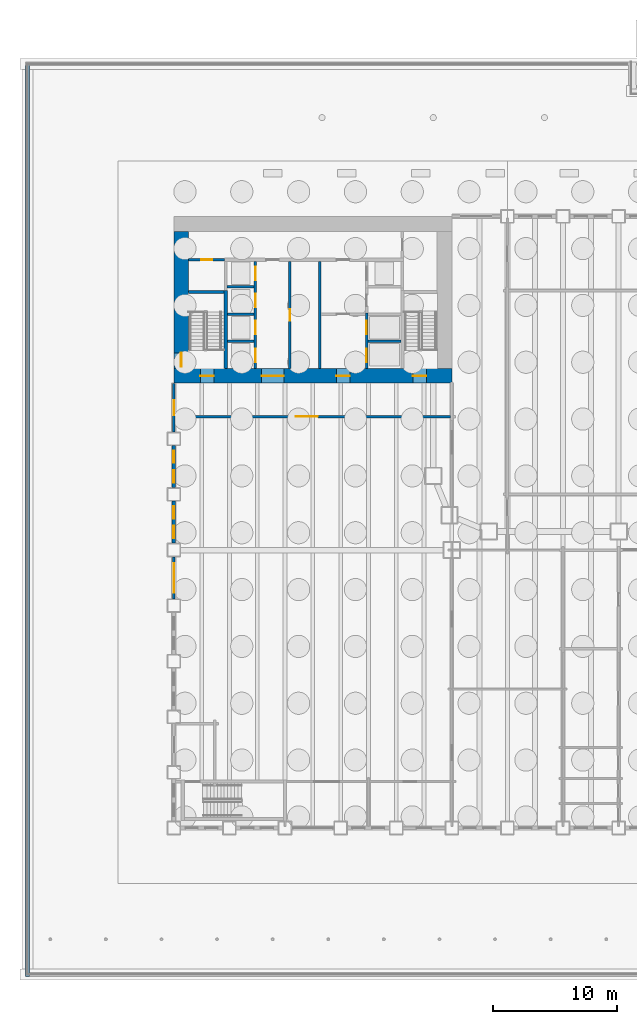
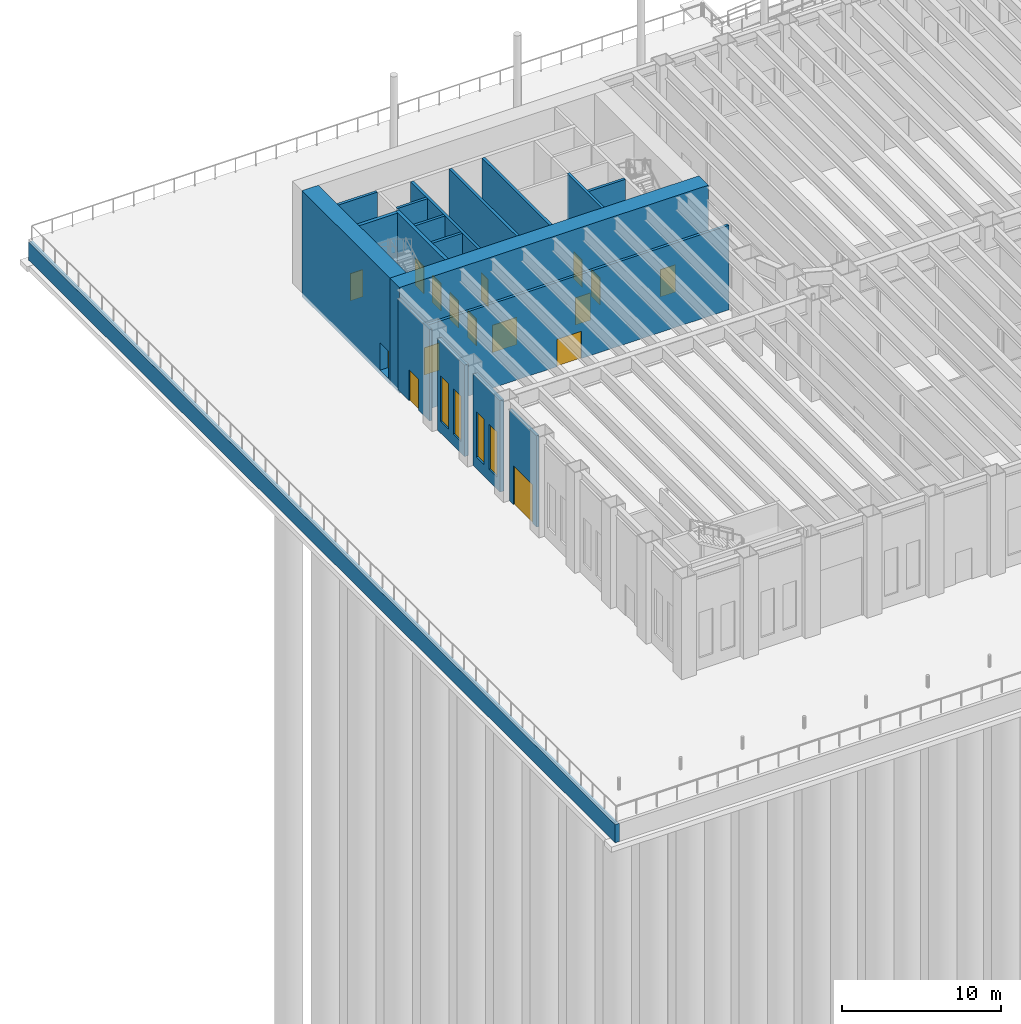
# One storey, part 10 of 26: 19 walls, 16 doors, 4 windows, 20 openings.
"""IFC4 building model written with IfcOpenShell, lengths in metres."""

from ifc_helpers import new_model, si_unit, direction, frame, frame_2d, origin, place, context, subcontext, project, spatial, rectangle, extrude, material, layer, layer_set, type_object, element, fill, save


model = new_model("IFC4")

# Units and contexts
model_context = context("Model", 3, precision=1e-05, world=origin(), true_north=direction((0.0, 1.0)))
body_context = subcontext(model_context, "Body", "Model", "MODEL_VIEW")
ifc_project = project(units=[si_unit("LENGTHUNIT", "METRE"), si_unit("AREAUNIT", "SQUARE_METRE"), si_unit("VOLUMEUNIT", "CUBIC_METRE"), si_unit("PLANEANGLEUNIT", "RADIAN"), si_unit("MASSUNIT", "GRAM", prefix="KILO")], contexts=[model_context])

# Site, building, storey
site_placement = place(None, origin())
site = spatial("IfcSite", under=ifc_project, at=site_placement, CompositionType="ELEMENT")
building_placement = place(site_placement, origin())
building = spatial("IfcBuilding", under=site, at=building_placement, Name="Sennacour Bend Tower", CompositionType="ELEMENT")
storey_placement = place(building_placement, origin())
storey = spatial("IfcBuildingStorey", under=building, at=storey_placement, Name="L00", CompositionType="ELEMENT", Elevation=0.0)

# Wall, opening, door
ifc_material_1 = material(Name="Bronze anodised aluminium panel", Category="aluminium")
ifc_layer_1 = layer(ifc_material_1, 0.030029296875, Name="Bronze anodised aluminium panel", Category="aluminium")
ifc_material_2 = material(Name="Precast concrete C40/50", Category="concrete")
ifc_layer_2 = layer(ifc_material_2, 0.169921875, Name="Precast concrete C40/50", Category="concrete")
ifc_layer_set_1 = layer_set([ifc_layer_1, ifc_layer_2], Name="Precast concrete C40/50 with bronze aluminium panel")
wall_type_1 = type_object("IfcWallType", Name="ALUMINIUM-CLAD INFILL WALL 200", PredefinedType="STANDARD", material=ifc_layer_set_1)
wall_1_placement = place(storey_placement, frame((0.0, 32.050048828125, 0.0), z_axis=(0.0, 0.0, 1.0), x_axis=(0.0, 1.0, 0.0)))
wall_1 = element("IfcWall", 1, at=wall_1_placement, inside=storey, type_object=wall_type_1, Name="Infill wall L00 02.00", PredefinedType="STANDARD", context=body_context, shape_type="SweptSolid", body=[
    extrude(rectangle(XDim=3.948974609375, YDim=0.199951171875, at=frame_2d((1.974609375, 0.0))), origin(), (0.0, 0.0, 1.0), 7.035888671875),
])
opening_1_placement = place(wall_1_placement, frame((1.37451171875, 0.0, 0.0)))
opening_1 = element("IfcOpeningElement", 2, at=opening_1_placement, cuts=wall_1, Name="Opening ED2", PredefinedType="OPENING", context=body_context, shape_type="SweptSolid", body=[
    extrude(rectangle(XDim=1.199951171875, YDim=2.39990234375, at=frame_2d((0.60009765625, 1.199951171875))), frame((0.0, 0.10986328125, 0.0), z_axis=(0.0, -1.0, 0.0), x_axis=(1.0, 0.0, 0.0)), (0.0, 0.0, 1.0), 0.219970703125),
])
ifc_material_3 = material(Name="Steel door leaf", Category="steel")
door_type_1 = type_object("IfcDoorType", Name="DR-SERVICE-1200x2400", OperationType="SINGLE_SWING_RIGHT", PredefinedType="DOOR", material=ifc_material_3)
door_1_placement = place(opening_1_placement, origin())
door_1 = element("IfcDoor", 3, at=door_1_placement, inside=storey, type_object=door_type_1, Name="Exterior door L00 02.00", OperationType="SINGLE_SWING_RIGHT", OverallHeight=2.39990234375, OverallWidth=1.199951171875, PredefinedType="DOOR", context=body_context, shape_type="SweptSolid", body=[
    extrude(rectangle(XDim=1.199951171875, YDim=2.39990234375, at=frame_2d((0.60009765625, 1.199951171875))), frame((0.0, 0.02490234375, 0.0), z_axis=(0.0, -1.0, 0.0), x_axis=(1.0, 0.0, 0.0)), (0.0, 0.0, 1.0), 0.050048828125),
])
fill(opening_1, door_1)

wall_2_placement = place(storey_placement, frame((0.0, 18.550048828125, 0.0), z_axis=(0.0, 0.0, 1.0), x_axis=(0.0, 1.0, 0.0)))
wall_2 = element("IfcWall", 4, at=wall_2_placement, inside=storey, type_object=wall_type_1, Name="Infill wall L00 02.03", PredefinedType="STANDARD", context=body_context, shape_type="SweptSolid", body=[
    extrude(rectangle(XDim=3.39990234375, YDim=0.199951171875, at=frame_2d((1.699951171875, 0.0))), origin(), (0.0, 0.0, 1.0), 7.035888671875),
])
opening_2_placement = place(wall_2_placement, frame((0.5, 0.0, 0.0)))
opening_2 = element("IfcOpeningElement", 5, at=opening_2_placement, cuts=wall_2, Name="Opening ED1", PredefinedType="OPENING", context=body_context, shape_type="SweptSolid", body=[
    extrude(rectangle(XDim=2.39990234375, YDim=3.0, at=frame_2d((1.199951171875, 1.5))), frame((0.0, 0.10986328125, 0.0), z_axis=(0.0, -1.0, 0.0), x_axis=(1.0, 0.0, 0.0)), (0.0, 0.0, 1.0), 0.219970703125),
])
ifc_material_4 = material(Name="Aluminium framed glazed door", Category="aluminium")
door_type_2 = type_object("IfcDoorType", Name="DR-ENTRANCE-2400x3000", OperationType="DOUBLE_DOOR_SINGLE_SWING", PredefinedType="DOOR", material=ifc_material_4)
door_2_placement = place(opening_2_placement, origin())
door_2 = element("IfcDoor", 6, at=door_2_placement, inside=storey, type_object=door_type_2, Name="Exterior door L00 02.03", OperationType="DOUBLE_DOOR_SINGLE_SWING", OverallHeight=3.0, OverallWidth=2.39990234375, PredefinedType="DOOR", context=body_context, shape_type="SweptSolid", body=[
    extrude(rectangle(XDim=2.39990234375, YDim=3.0, at=frame_2d((1.199951171875, 1.5))), frame((0.0, 0.02490234375, 0.0), z_axis=(0.0, -1.0, 0.0), x_axis=(1.0, 0.0, 0.0)), (0.0, 0.0, 1.0), 0.050048828125),
])
fill(opening_2, door_2)

# Wall, openings, doors
ifc_material_5 = material(Name="Concrete C80/95", Category="concrete")
ifc_layer_3 = layer(ifc_material_5, 1.199951171875, Name="Concrete C80/95", Category="concrete")
ifc_layer_set_2 = layer_set([ifc_layer_3], Name="Concrete C80/95")
wall_type_2 = type_object("IfcWallType", Name="Core wall 1200 C80/95", PredefinedType="SHEAR", material=ifc_layer_set_2)
wall_3_placement = place(storey_placement, frame((0.0, 36.60009765625, -0.300048828125), z_axis=(0.0, 0.0, 1.0), x_axis=(1.0, 0.0, 0.0)))
wall_3 = element("IfcWall", 7, at=wall_3_placement, inside=storey, type_object=wall_type_2, Name="Core B wall L00 S", PredefinedType="SHEAR", context=body_context, shape_type="SweptSolid", body=[
    extrude(rectangle(XDim=22.5, YDim=1.199951171875, at=frame_2d((11.25, 0.0))), origin(), (0.0, 0.0, 1.0), 8.150146484375),
])
opening_3_placement = place(wall_3_placement, frame((7.10009765625, 0.0, 0.300048828125)))
opening_3 = element("IfcOpeningElement", 8, at=opening_3_placement, cuts=wall_3, Name="Opening CD", PredefinedType="OPENING", context=body_context, shape_type="SweptSolid", body=[
    extrude(rectangle(XDim=1.800048828125, YDim=2.10009765625, at=frame_2d((0.89990234375, 1.050048828125))), frame((0.0, 0.60986328125, 0.0), z_axis=(0.0, -1.0, 0.0), x_axis=(1.0, 0.0, 0.0)), (0.0, 0.0, 1.0), 1.219970703125),
])
opening_4_placement = place(wall_3_placement, frame((13.14990234375, 0.0, 0.300048828125)))
opening_4 = element("IfcOpeningElement", 9, at=opening_4_placement, cuts=wall_3, Name="Opening FD", PredefinedType="OPENING", context=body_context, shape_type="SweptSolid", body=[
    extrude(rectangle(XDim=1.10009765625, YDim=2.10009765625, at=frame_2d((0.550048828125, 1.050048828125))), frame((0.0, 0.60986328125, 0.0), z_axis=(0.0, -1.0, 0.0), x_axis=(1.0, 0.0, 0.0)), (0.0, 0.0, 1.0), 1.219970703125),
])
opening_5_placement = place(wall_3_placement, frame((2.14990234375, 0.0, 0.300048828125)))
opening_5 = element("IfcOpeningElement", 10, at=opening_5_placement, cuts=wall_3, Name="Opening SD", PredefinedType="OPENING", context=body_context, shape_type="SweptSolid", body=[
    extrude(rectangle(XDim=1.10009765625, YDim=2.10009765625, at=frame_2d((0.550048828125, 1.050048828125))), frame((0.0, 0.60986328125, 0.0), z_axis=(0.0, -1.0, 0.0), x_axis=(1.0, 0.0, 0.0)), (0.0, 0.0, 1.0), 1.219970703125),
])
opening_6_placement = place(wall_3_placement, frame((19.35009765625, 0.0, 0.300048828125)))
opening_6 = element("IfcOpeningElement", 11, at=opening_6_placement, cuts=wall_3, Name="Opening SD", PredefinedType="OPENING", context=body_context, shape_type="SweptSolid", body=[
    extrude(rectangle(XDim=1.10009765625, YDim=2.10009765625, at=frame_2d((0.550048828125, 1.050048828125))), frame((0.0, 0.60986328125, 0.0), z_axis=(0.0, -1.0, 0.0), x_axis=(1.0, 0.0, 0.0)), (0.0, 0.0, 1.0), 1.219970703125),
])
ifc_material_6 = material(Name="Painted steel", Category="steel")
door_type_3 = type_object("IfcDoorType", Name="DR-FFL-1100", OperationType="NOTDEFINED", PredefinedType="DOOR", material=ifc_material_6)
door_3_placement = place(opening_4_placement, origin())
door_3 = element("IfcDoor", 12, at=door_3_placement, inside=storey, type_object=door_type_3, Name="Door", OperationType="SINGLE_SWING_RIGHT", OverallHeight=2.10009765625, OverallWidth=1.10009765625, PredefinedType="DOOR", context=body_context, shape_type="SweptSolid", body=[
    extrude(rectangle(XDim=1.10009765625, YDim=2.10009765625, at=frame_2d((0.550048828125, 1.050048828125))), frame((0.0, 0.02490234375, 0.0), z_axis=(0.0, -1.0, 0.0), x_axis=(1.0, 0.0, 0.0)), (0.0, 0.0, 1.0), 0.050048828125),
])
fill(opening_4, door_3)
door_type_4 = type_object("IfcDoorType", Name="DR-LOBBY-1800", OperationType="NOTDEFINED", PredefinedType="DOOR", material=ifc_material_6)
door_4_placement = place(opening_3_placement, origin())
door_4 = element("IfcDoor", 13, at=door_4_placement, inside=storey, type_object=door_type_4, Name="Door", OperationType="DOUBLE_DOOR_SINGLE_SWING", OverallHeight=2.10009765625, OverallWidth=1.800048828125, PredefinedType="DOOR", context=body_context, shape_type="SweptSolid", body=[
    extrude(rectangle(XDim=1.800048828125, YDim=2.10009765625, at=frame_2d((0.89990234375, 1.050048828125))), frame((0.0, 0.02490234375, 0.0), z_axis=(0.0, -1.0, 0.0), x_axis=(1.0, 0.0, 0.0)), (0.0, 0.0, 1.0), 0.050048828125),
])
fill(opening_3, door_4)
door_type_5 = type_object("IfcDoorType", Name="DR-STAIR-1100", OperationType="NOTDEFINED", PredefinedType="DOOR", material=ifc_material_6)
door_5_placement = place(opening_5_placement, origin())
door_5 = element("IfcDoor", 14, at=door_5_placement, inside=storey, type_object=door_type_5, Name="Door", OperationType="SINGLE_SWING_LEFT", OverallHeight=2.10009765625, OverallWidth=1.10009765625, PredefinedType="DOOR", context=body_context, shape_type="SweptSolid", body=[
    extrude(rectangle(XDim=1.10009765625, YDim=2.10009765625, at=frame_2d((0.550048828125, 1.050048828125))), frame((0.0, 0.02490234375, 0.0), z_axis=(0.0, -1.0, 0.0), x_axis=(1.0, 0.0, 0.0)), (0.0, 0.0, 1.0), 0.050048828125),
])
fill(opening_5, door_5)
door_6_placement = place(opening_6_placement, origin())
door_6 = element("IfcDoor", 15, at=door_6_placement, inside=storey, type_object=door_type_5, Name="Door", OperationType="SINGLE_SWING_RIGHT", OverallHeight=2.10009765625, OverallWidth=1.10009765625, PredefinedType="DOOR", context=body_context, shape_type="SweptSolid", body=[
    extrude(rectangle(XDim=1.10009765625, YDim=2.10009765625, at=frame_2d((0.550048828125, 1.050048828125))), frame((0.0, 0.02490234375, 0.0), z_axis=(0.0, -1.0, 0.0), x_axis=(1.0, 0.0, 0.0)), (0.0, 0.0, 1.0), 0.050048828125),
])
fill(opening_6, door_6)

# Wall, opening, door
wall_4_placement = place(storey_placement, frame((0.60009765625, 37.199951171875, -0.300048828125), z_axis=(0.0, 0.0, 1.0), x_axis=(0.0, 1.0, 0.0)))
wall_4 = element("IfcWall", 16, at=wall_4_placement, inside=storey, type_object=wall_type_2, Name="Core B wall L00 W", PredefinedType="SHEAR", context=body_context, shape_type="SweptSolid", body=[
    extrude(rectangle(XDim=11.10009765625, YDim=1.199951171875, at=frame_2d((5.550048828125, 0.0))), origin(), (0.0, 0.0, 1.0), 8.150146484375),
])
opening_7_placement = place(wall_4_placement, frame((0.14990234375, 0.0, 0.300048828125)))
opening_7 = element("IfcOpeningElement", 17, at=opening_7_placement, cuts=wall_4, Name="Opening XD", PredefinedType="OPENING", context=body_context, shape_type="SweptSolid", body=[
    extrude(rectangle(XDim=1.10009765625, YDim=2.10009765625, at=frame_2d((0.550048828125, 1.050048828125))), frame((0.0, 0.60986328125, 0.0), z_axis=(0.0, -1.0, 0.0), x_axis=(1.0, 0.0, 0.0)), (0.0, 0.0, 1.0), 1.219970703125),
])
door_type_6 = type_object("IfcDoorType", Name="DR-DISCHARGE-1100", OperationType="NOTDEFINED", PredefinedType="DOOR", material=ifc_material_6)
door_7_placement = place(opening_7_placement, origin())
door_7 = element("IfcDoor", 18, at=door_7_placement, inside=storey, type_object=door_type_6, Name="Door", OperationType="SINGLE_SWING_LEFT", OverallHeight=2.10009765625, OverallWidth=1.10009765625, PredefinedType="DOOR", context=body_context, shape_type="SweptSolid", body=[
    extrude(rectangle(XDim=1.10009765625, YDim=2.10009765625, at=frame_2d((0.550048828125, 1.050048828125))), frame((0.0, 0.02490234375, 0.0), z_axis=(0.0, -1.0, 0.0), x_axis=(1.0, 0.0, 0.0)), (0.0, 0.0, 1.0), 0.050048828125),
])
fill(opening_7, door_7)

# Wall
ifc_material_7 = material(Name="Concrete C40/50", Category="concrete")
ifc_layer_4 = layer(ifc_material_7, 0.300048828125, Name="Concrete C40/50", Category="concrete")
ifc_layer_set_3 = layer_set([ifc_layer_4], Name="Concrete C40/50")
wall_type_3 = type_object("IfcWallType", Name="PLAZA RETAINING WALL 300", PredefinedType="STANDARD", material=ifc_layer_set_3)
wall_5_placement = place(storey_placement, frame((-11.85009765625, -12.0, -1.60009765625), z_axis=(0.0, 0.0, 1.0), x_axis=(0.0, 1.0, 0.0)))
element("IfcWall", 19, at=wall_5_placement, inside=storey, type_object=wall_type_3, Name="Plaza retaining wall west", PredefinedType="STANDARD", context=body_context, shape_type="SweptSolid", body=[
    extrude(rectangle(XDim=74.0, YDim=0.300048828125, at=frame_2d((37.0, 0.0))), origin(), (0.0, 0.0, 1.0), 1.400146484375),
])

# Wall, opening, door
ifc_material_8 = material(Name="Fire-rated plasterboard partition on steel studs", Category="steel")
ifc_layer_5 = layer(ifc_material_8, 0.199951171875, Name="Fire-rated plasterboard partition on steel studs", Category="steel")
ifc_layer_set_4 = layer_set([ifc_layer_5], Name="Fire-rated plasterboard partition on steel studs")
wall_type_4 = type_object("IfcWallType", Name="Rated partition 200", PredefinedType="PARTITIONING", material=ifc_layer_set_4)
wall_6_placement = place(storey_placement, frame((9.39990234375, 37.199951171875, 0.0), z_axis=(0.0, 0.0, 1.0), x_axis=(0.0, 1.0, 0.0)))
wall_6 = element("IfcWall", 20, at=wall_6_placement, inside=storey, type_object=wall_type_4, Name="P-L00-W011", PredefinedType="PARTITIONING", context=body_context, shape_type="SweptSolid", body=[
    extrude(rectangle(XDim=8.650146484375, YDim=0.199951171875, at=frame_2d((4.3251953125, 0.0))), origin(), (0.0, 0.0, 1.0), 7.75),
])
opening_8_placement = place(wall_6_placement, frame((3.875, 0.0, 0.0)))
opening_8 = element("IfcOpeningElement", 21, at=opening_8_placement, cuts=wall_6, Name="Opening SV", PredefinedType="OPENING", context=body_context, shape_type="SweptSolid", body=[
    extrude(rectangle(XDim=0.89990234375, YDim=2.10009765625, at=frame_2d((0.449951171875, 1.050048828125))), frame((0.0, 0.10986328125, 0.0), z_axis=(0.0, -1.0, 0.0), x_axis=(1.0, 0.0, 0.0)), (0.0, 0.0, 1.0), 0.219970703125),
])
door_type_7 = type_object("IfcDoorType", Name="DR-SERVICE-900", OperationType="NOTDEFINED", PredefinedType="DOOR", material=ifc_material_6)
door_8_placement = place(opening_8_placement, origin())
door_8 = element("IfcDoor", 22, at=door_8_placement, inside=storey, type_object=door_type_7, Name="Door", OperationType="SINGLE_SWING_LEFT", OverallHeight=2.10009765625, OverallWidth=0.89990234375, PredefinedType="DOOR", context=body_context, shape_type="SweptSolid", body=[
    extrude(rectangle(XDim=0.89990234375, YDim=2.10009765625, at=frame_2d((0.449951171875, 1.050048828125))), frame((0.0, 0.02490234375, 0.0), z_axis=(0.0, -1.0, 0.0), x_axis=(1.0, 0.0, 0.0)), (0.0, 0.0, 1.0), 0.050048828125),
])
fill(opening_8, door_8)

# Wall
wall_7_placement = place(storey_placement, frame((11.800048828125, 37.199951171875, 0.0), z_axis=(0.0, 0.0, 1.0), x_axis=(0.0, 1.0, 0.0)))
element("IfcWall", 23, at=wall_7_placement, inside=storey, type_object=wall_type_4, Name="P-L00-W012", PredefinedType="PARTITIONING", context=body_context, shape_type="SweptSolid", body=[
    extrude(rectangle(XDim=8.650146484375, YDim=0.199951171875, at=frame_2d((4.3251953125, 0.0))), origin(), (0.0, 0.0, 1.0), 7.75),
])

# Wall, opening, door
wall_8_placement = place(storey_placement, frame((0.14990234375, 33.300048828125, 0.0), z_axis=(0.0, 0.0, 1.0), x_axis=(1.0, 0.0, 0.0)))
wall_8 = element("IfcWall", 24, at=wall_8_placement, inside=storey, type_object=wall_type_4, Name="P-L00-W074aa", PredefinedType="PARTITIONING", context=body_context, shape_type="SweptSolid", body=[
    extrude(rectangle(XDim=22.25, YDim=0.199951171875, at=frame_2d((11.125, 0.0))), origin(), (0.0, 0.0, 1.0), 6.5),
])
opening_9_placement = place(wall_8_placement, frame((9.7001953125, 0.0, 0.0)))
opening_9 = element("IfcOpeningElement", 25, at=opening_9_placement, cuts=wall_8, Name="Opening CD", PredefinedType="OPENING", context=body_context, shape_type="SweptSolid", body=[
    extrude(rectangle(XDim=1.800048828125, YDim=2.10009765625, at=frame_2d((0.89990234375, 1.050048828125))), frame((0.0, 0.10986328125, 0.0), z_axis=(0.0, -1.0, 0.0), x_axis=(1.0, 0.0, 0.0)), (0.0, 0.0, 1.0), 0.219970703125),
])
door_9_placement = place(opening_9_placement, origin())
door_9 = element("IfcDoor", 26, at=door_9_placement, inside=storey, type_object=door_type_4, Name="Door", OperationType="DOUBLE_DOOR_SINGLE_SWING", OverallHeight=2.10009765625, OverallWidth=1.800048828125, PredefinedType="DOOR", context=body_context, shape_type="SweptSolid", body=[
    extrude(rectangle(XDim=1.800048828125, YDim=2.10009765625, at=frame_2d((0.89990234375, 1.050048828125))), frame((0.0, 0.02490234375, 0.0), z_axis=(0.0, -1.0, 0.0), x_axis=(1.0, 0.0, 0.0)), (0.0, 0.0, 1.0), 0.050048828125),
])
fill(opening_9, door_9)

wall_9_placement = place(storey_placement, frame((1.199951171875, 46.0, 0.0), z_axis=(0.0, 0.0, 1.0), x_axis=(1.0, 0.0, 0.0)))
wall_9 = element("IfcWall", 27, at=wall_9_placement, inside=storey, type_object=wall_type_4, Name="P-L00-W085", PredefinedType="PARTITIONING", context=body_context, shape_type="SweptSolid", body=[
    extrude(rectangle(XDim=2.900146484375, YDim=0.199951171875, at=frame_2d((1.4501953125, 0.0))), origin(), (0.0, 0.0, 1.0), 7.75),
])
opening_10_placement = place(wall_9_placement, frame((1.0, 0.0, 0.0)))
opening_10 = element("IfcOpeningElement", 28, at=opening_10_placement, cuts=wall_9, Name="Opening SV", PredefinedType="OPENING", context=body_context, shape_type="SweptSolid", body=[
    extrude(rectangle(XDim=0.89990234375, YDim=2.10009765625, at=frame_2d((0.449951171875, 1.050048828125))), frame((0.0, 0.10986328125, 0.0), z_axis=(0.0, -1.0, 0.0), x_axis=(1.0, 0.0, 0.0)), (0.0, 0.0, 1.0), 0.219970703125),
])
door_10_placement = place(opening_10_placement, origin())
door_10 = element("IfcDoor", 29, at=door_10_placement, inside=storey, type_object=door_type_7, Name="Door", OperationType="SINGLE_SWING_LEFT", OverallHeight=2.10009765625, OverallWidth=0.89990234375, PredefinedType="DOOR", context=body_context, shape_type="SweptSolid", body=[
    extrude(rectangle(XDim=0.89990234375, YDim=2.10009765625, at=frame_2d((0.449951171875, 1.050048828125))), frame((0.0, 0.02490234375, 0.0), z_axis=(0.0, -1.0, 0.0), x_axis=(1.0, 0.0, 0.0)), (0.0, 0.0, 1.0), 0.050048828125),
])
fill(opening_10, door_10)

# Wall, openings, windows
ifc_material_9 = material(Name="Warm limestone cladding", Category="masonry")
ifc_layer_6 = layer(ifc_material_9, 0.050048828125, Name="Warm limestone cladding", Category="masonry")
ifc_layer_7 = layer(ifc_material_2, 0.25, Name="Precast concrete C40/50", Category="concrete")
ifc_layer_set_5 = layer_set([ifc_layer_6, ifc_layer_7], Name="Precast concrete C40/50 with limestone cladding")
wall_type_5 = type_object("IfcWallType", Name="STONE-CLAD PRECAST SPANDREL 300", PredefinedType="STANDARD", material=ifc_layer_set_5)
wall_10_placement = place(storey_placement, frame((0.0, 30.949951171875, 0.0), z_axis=(0.0, 0.0, 1.0), x_axis=(0.0, -1.0, 0.0)))
wall_10 = element("IfcWall", 30, at=wall_10_placement, inside=storey, type_object=wall_type_5, Name="Stone spandrel and pier wall L00 02.01", PredefinedType="STANDARD", context=body_context, shape_type="SweptSolid", body=[
    extrude(rectangle(XDim=3.39990234375, YDim=0.300048828125, at=frame_2d((1.699951171875, 0.0))), origin(), (0.0, 0.0, 1.0), 7.035888671875),
])
opening_11_placement = place(wall_10_placement, frame((0.39990234375, 0.0, 0.89990234375)))
opening_11 = element("IfcOpeningElement", 31, at=opening_11_placement, cuts=wall_10, Name="Opening W1", PredefinedType="OPENING", context=body_context, shape_type="SweptSolid", body=[
    extrude(rectangle(XDim=1.0, YDim=3.5, at=frame_2d((0.5, 1.75))), frame((0.0, 0.16015625, 0.0), z_axis=(0.0, -1.0, 0.0), x_axis=(1.0, 0.0, 0.0)), (0.0, 0.0, 1.0), 0.320068359375),
])
opening_12_placement = place(wall_10_placement, frame((2.0, 0.0, 0.89990234375)))
opening_12 = element("IfcOpeningElement", 32, at=opening_12_placement, cuts=wall_10, Name="Opening W1", PredefinedType="OPENING", context=body_context, shape_type="SweptSolid", body=[
    extrude(rectangle(XDim=1.0, YDim=3.5, at=frame_2d((0.5, 1.75))), frame((0.0, 0.16015625, 0.0), z_axis=(0.0, -1.0, 0.0), x_axis=(1.0, 0.0, 0.0)), (0.0, 0.0, 1.0), 0.320068359375),
])
ifc_material_10 = material(Name="Clear low-emissivity glass", Category="glass")
window_type = type_object("IfcWindowType", Name="WIN-RIBBON-1000x3500", PartitioningType="SINGLE_PANEL", PredefinedType="WINDOW", material=ifc_material_10)
window_1_placement = place(opening_11_placement, origin())
window_1 = element("IfcWindow", 33, at=window_1_placement, inside=storey, type_object=window_type, Name="Ribbon window L00 02.01.0", OverallHeight=3.5, OverallWidth=1.0, PartitioningType="SINGLE_PANEL", PredefinedType="WINDOW", context=body_context, shape_type="SweptSolid", body=[
    extrude(rectangle(XDim=1.0, YDim=3.5, at=frame_2d((0.5, 1.75))), frame((0.0, 0.030029296875, 0.0), z_axis=(0.0, -1.0, 0.0), x_axis=(1.0, 0.0, 0.0)), (0.0, 0.0, 1.0), 0.06005859375),
])
fill(opening_11, window_1)
window_2_placement = place(opening_12_placement, origin())
window_2 = element("IfcWindow", 34, at=window_2_placement, inside=storey, type_object=window_type, Name="Ribbon window L00 02.01.1", OverallHeight=3.5, OverallWidth=1.0, PartitioningType="SINGLE_PANEL", PredefinedType="WINDOW", context=body_context, shape_type="SweptSolid", body=[
    extrude(rectangle(XDim=1.0, YDim=3.5, at=frame_2d((0.5, 1.75))), frame((0.0, 0.030029296875, 0.0), z_axis=(0.0, -1.0, 0.0), x_axis=(1.0, 0.0, 0.0)), (0.0, 0.0, 1.0), 0.06005859375),
])
fill(opening_12, window_2)

wall_11_placement = place(storey_placement, frame((0.0, 26.449951171875, 0.0), z_axis=(0.0, 0.0, 1.0), x_axis=(0.0, -1.0, 0.0)))
wall_11 = element("IfcWall", 35, at=wall_11_placement, inside=storey, type_object=wall_type_5, Name="Stone spandrel and pier wall L00 02.02", PredefinedType="STANDARD", context=body_context, shape_type="SweptSolid", body=[
    extrude(rectangle(XDim=3.39990234375, YDim=0.300048828125, at=frame_2d((1.699951171875, 0.0))), origin(), (0.0, 0.0, 1.0), 7.035888671875),
])
opening_13_placement = place(wall_11_placement, frame((0.39990234375, 0.0, 0.89990234375)))
opening_13 = element("IfcOpeningElement", 36, at=opening_13_placement, cuts=wall_11, Name="Opening W1", PredefinedType="OPENING", context=body_context, shape_type="SweptSolid", body=[
    extrude(rectangle(XDim=1.0, YDim=3.5, at=frame_2d((0.5, 1.75))), frame((0.0, 0.16015625, 0.0), z_axis=(0.0, -1.0, 0.0), x_axis=(1.0, 0.0, 0.0)), (0.0, 0.0, 1.0), 0.320068359375),
])
opening_14_placement = place(wall_11_placement, frame((2.0, 0.0, 0.89990234375)))
opening_14 = element("IfcOpeningElement", 37, at=opening_14_placement, cuts=wall_11, Name="Opening W1", PredefinedType="OPENING", context=body_context, shape_type="SweptSolid", body=[
    extrude(rectangle(XDim=1.0, YDim=3.5, at=frame_2d((0.5, 1.75))), frame((0.0, 0.16015625, 0.0), z_axis=(0.0, -1.0, 0.0), x_axis=(1.0, 0.0, 0.0)), (0.0, 0.0, 1.0), 0.320068359375),
])
window_3_placement = place(opening_13_placement, origin())
window_3 = element("IfcWindow", 38, at=window_3_placement, inside=storey, type_object=window_type, Name="Ribbon window L00 02.02.0", OverallHeight=3.5, OverallWidth=1.0, PartitioningType="SINGLE_PANEL", PredefinedType="WINDOW", context=body_context, shape_type="SweptSolid", body=[
    extrude(rectangle(XDim=1.0, YDim=3.5, at=frame_2d((0.5, 1.75))), frame((0.0, 0.030029296875, 0.0), z_axis=(0.0, -1.0, 0.0), x_axis=(1.0, 0.0, 0.0)), (0.0, 0.0, 1.0), 0.06005859375),
])
fill(opening_13, window_3)
window_4_placement = place(opening_14_placement, origin())
window_4 = element("IfcWindow", 39, at=window_4_placement, inside=storey, type_object=window_type, Name="Ribbon window L00 02.02.1", OverallHeight=3.5, OverallWidth=1.0, PartitioningType="SINGLE_PANEL", PredefinedType="WINDOW", context=body_context, shape_type="SweptSolid", body=[
    extrude(rectangle(XDim=1.0, YDim=3.5, at=frame_2d((0.5, 1.75))), frame((0.0, 0.030029296875, 0.0), z_axis=(0.0, -1.0, 0.0), x_axis=(1.0, 0.0, 0.0)), (0.0, 0.0, 1.0), 0.06005859375),
])
fill(opening_14, window_4)

# Wall, openings, doors
ifc_material_11 = material(Name="Concrete C50/60", Category="concrete")
ifc_layer_8 = layer(ifc_material_11, 0.199951171875, Name="Concrete C50/60", Category="concrete")
ifc_layer_set_6 = layer_set([ifc_layer_8], Name="Concrete C50/60")
wall_type_6 = type_object("IfcWallType", Name="Shaft wall 200", PredefinedType="SOLIDWALL", material=ifc_layer_set_6)
wall_12_placement = place(storey_placement, frame((6.60009765625, 37.199951171875, 0.0), z_axis=(0.0, 0.0, 1.0), x_axis=(0.0, 1.0, 0.0)))
wall_12 = element("IfcWall", 40, at=wall_12_placement, inside=storey, type_object=wall_type_6, Name="P-L00-W008", PredefinedType="SOLIDWALL", context=body_context, shape_type="SweptSolid", body=[
    extrude(rectangle(XDim=8.650146484375, YDim=0.199951171875, at=frame_2d((4.3251953125, 0.0))), origin(), (0.0, 0.0, 1.0), 7.75),
])
opening_15_placement = place(wall_12_placement, frame((0.5, 0.0, 0.011962890625)))
opening_15 = element("IfcOpeningElement", 41, at=opening_15_placement, cuts=wall_12, Name="Opening LD", PredefinedType="OPENING", context=body_context, shape_type="SweptSolid", body=[
    extrude(rectangle(XDim=1.10009765625, YDim=2.10009765625, at=frame_2d((0.550048828125, 1.050048828125))), frame((0.0, 0.10986328125, 0.0), z_axis=(0.0, -1.0, 0.0), x_axis=(1.0, 0.0, 0.0)), (0.0, 0.0, 1.0), 0.219970703125),
])
opening_16_placement = place(wall_12_placement, frame((2.75, 0.0, 0.011962890625)))
opening_16 = element("IfcOpeningElement", 42, at=opening_16_placement, cuts=wall_12, Name="Opening LD", PredefinedType="OPENING", context=body_context, shape_type="SweptSolid", body=[
    extrude(rectangle(XDim=1.10009765625, YDim=2.10009765625, at=frame_2d((0.550048828125, 1.050048828125))), frame((0.0, 0.10986328125, 0.0), z_axis=(0.0, -1.0, 0.0), x_axis=(1.0, 0.0, 0.0)), (0.0, 0.0, 1.0), 0.219970703125),
])
opening_17_placement = place(wall_12_placement, frame((4.949951171875, 0.0, 0.011962890625)))
opening_17 = element("IfcOpeningElement", 43, at=opening_17_placement, cuts=wall_12, Name="Opening LD", PredefinedType="OPENING", context=body_context, shape_type="SweptSolid", body=[
    extrude(rectangle(XDim=1.10009765625, YDim=2.10009765625, at=frame_2d((0.550048828125, 1.050048828125))), frame((0.0, 0.10986328125, 0.0), z_axis=(0.0, -1.0, 0.0), x_axis=(1.0, 0.0, 0.0)), (0.0, 0.0, 1.0), 0.219970703125),
])
opening_18_placement = place(wall_12_placement, frame((7.125, 0.0, 0.011962890625)))
opening_18 = element("IfcOpeningElement", 44, at=opening_18_placement, cuts=wall_12, Name="Opening LD", PredefinedType="OPENING", context=body_context, shape_type="SweptSolid", body=[
    extrude(rectangle(XDim=1.10009765625, YDim=2.10009765625, at=frame_2d((0.550048828125, 1.050048828125))), frame((0.0, 0.10986328125, 0.0), z_axis=(0.0, -1.0, 0.0), x_axis=(1.0, 0.0, 0.0)), (0.0, 0.0, 1.0), 0.219970703125),
])
ifc_material_12 = material(Name="Stainless steel", Category="steel")
door_type_8 = type_object("IfcDoorType", Name="DR-LANDING-1100", OperationType="NOTDEFINED", PredefinedType="DOOR", material=ifc_material_12)
door_11_placement = place(opening_15_placement, origin())
door_11 = element("IfcDoor", 45, at=door_11_placement, inside=storey, type_object=door_type_8, Name="Lift landing door LB1", OperationType="SLIDING_TO_RIGHT", OverallHeight=2.10009765625, OverallWidth=1.10009765625, PredefinedType="DOOR", context=body_context, shape_type="SweptSolid", body=[
    extrude(rectangle(XDim=1.10009765625, YDim=2.10009765625, at=frame_2d((0.550048828125, 1.050048828125))), frame((0.0, 0.02490234375, 0.0), z_axis=(0.0, -1.0, 0.0), x_axis=(1.0, 0.0, 0.0)), (0.0, 0.0, 1.0), 0.050048828125),
])
fill(opening_15, door_11)
door_12_placement = place(opening_16_placement, origin())
door_12 = element("IfcDoor", 46, at=door_12_placement, inside=storey, type_object=door_type_8, Name="Lift landing door LB2", OperationType="SLIDING_TO_LEFT", OverallHeight=2.10009765625, OverallWidth=1.10009765625, PredefinedType="DOOR", context=body_context, shape_type="SweptSolid", body=[
    extrude(rectangle(XDim=1.10009765625, YDim=2.10009765625, at=frame_2d((0.550048828125, 1.050048828125))), frame((0.0, 0.02490234375, 0.0), z_axis=(0.0, -1.0, 0.0), x_axis=(1.0, 0.0, 0.0)), (0.0, 0.0, 1.0), 0.050048828125),
])
fill(opening_16, door_12)
door_13_placement = place(opening_17_placement, origin())
door_13 = element("IfcDoor", 47, at=door_13_placement, inside=storey, type_object=door_type_8, Name="Lift landing door LB3", OperationType="SLIDING_TO_RIGHT", OverallHeight=2.10009765625, OverallWidth=1.10009765625, PredefinedType="DOOR", context=body_context, shape_type="SweptSolid", body=[
    extrude(rectangle(XDim=1.10009765625, YDim=2.10009765625, at=frame_2d((0.550048828125, 1.050048828125))), frame((0.0, 0.02490234375, 0.0), z_axis=(0.0, -1.0, 0.0), x_axis=(1.0, 0.0, 0.0)), (0.0, 0.0, 1.0), 0.050048828125),
])
fill(opening_17, door_13)
door_14_placement = place(opening_18_placement, origin())
door_14 = element("IfcDoor", 48, at=door_14_placement, inside=storey, type_object=door_type_8, Name="Lift landing door LB4", OperationType="SLIDING_TO_LEFT", OverallHeight=2.10009765625, OverallWidth=1.10009765625, PredefinedType="DOOR", context=body_context, shape_type="SweptSolid", body=[
    extrude(rectangle(XDim=1.10009765625, YDim=2.10009765625, at=frame_2d((0.550048828125, 1.050048828125))), frame((0.0, 0.02490234375, 0.0), z_axis=(0.0, -1.0, 0.0), x_axis=(1.0, 0.0, 0.0)), (0.0, 0.0, 1.0), 0.050048828125),
])
fill(opening_18, door_14)

wall_13_placement = place(storey_placement, frame((15.60009765625, 37.199951171875, 0.0), z_axis=(0.0, 0.0, 1.0), x_axis=(0.0, 1.0, 0.0)))
wall_13 = element("IfcWall", 49, at=wall_13_placement, inside=storey, type_object=wall_type_6, Name="P-L00-W013", PredefinedType="SOLIDWALL", context=body_context, shape_type="SweptSolid", body=[
    extrude(rectangle(XDim=4.5, YDim=0.199951171875, at=frame_2d((2.25, 0.0))), origin(), (0.0, 0.0, 1.0), 7.75),
])
opening_19_placement = place(wall_13_placement, frame((0.5, 0.0, 0.011962890625)))
opening_19 = element("IfcOpeningElement", 50, at=opening_19_placement, cuts=wall_13, Name="Opening FLD", PredefinedType="OPENING", context=body_context, shape_type="SweptSolid", body=[
    extrude(rectangle(XDim=1.10009765625, YDim=2.10009765625, at=frame_2d((0.550048828125, 1.050048828125))), frame((0.0, 0.10986328125, 0.0), z_axis=(0.0, -1.0, 0.0), x_axis=(1.0, 0.0, 0.0)), (0.0, 0.0, 1.0), 0.219970703125),
])
opening_20_placement = place(wall_13_placement, frame((2.75, 0.0, 0.011962890625)))
opening_20 = element("IfcOpeningElement", 51, at=opening_20_placement, cuts=wall_13, Name="Opening FLD", PredefinedType="OPENING", context=body_context, shape_type="SweptSolid", body=[
    extrude(rectangle(XDim=1.10009765625, YDim=2.10009765625, at=frame_2d((0.550048828125, 1.050048828125))), frame((0.0, 0.10986328125, 0.0), z_axis=(0.0, -1.0, 0.0), x_axis=(1.0, 0.0, 0.0)), (0.0, 0.0, 1.0), 0.219970703125),
])
door_type_9 = type_object("IfcDoorType", Name="DR-FF-LANDING-1100", OperationType="NOTDEFINED", PredefinedType="DOOR", material=ifc_material_12)
door_15_placement = place(opening_19_placement, origin())
door_15 = element("IfcDoor", 52, at=door_15_placement, inside=storey, type_object=door_type_9, Name="Fire service lift landing door FB1", OperationType="SLIDING_TO_RIGHT", OverallHeight=2.10009765625, OverallWidth=1.10009765625, PredefinedType="DOOR", context=body_context, shape_type="SweptSolid", body=[
    extrude(rectangle(XDim=1.10009765625, YDim=2.10009765625, at=frame_2d((0.550048828125, 1.050048828125))), frame((0.0, 0.02490234375, 0.0), z_axis=(0.0, -1.0, 0.0), x_axis=(1.0, 0.0, 0.0)), (0.0, 0.0, 1.0), 0.050048828125),
])
fill(opening_19, door_15)
door_16_placement = place(opening_20_placement, origin())
door_16 = element("IfcDoor", 53, at=door_16_placement, inside=storey, type_object=door_type_9, Name="Fire service lift landing door FB2", OperationType="SLIDING_TO_LEFT", OverallHeight=2.10009765625, OverallWidth=1.10009765625, PredefinedType="DOOR", context=body_context, shape_type="SweptSolid", body=[
    extrude(rectangle(XDim=1.10009765625, YDim=2.10009765625, at=frame_2d((0.550048828125, 1.050048828125))), frame((0.0, 0.02490234375, 0.0), z_axis=(0.0, -1.0, 0.0), x_axis=(1.0, 0.0, 0.0)), (0.0, 0.0, 1.0), 0.050048828125),
])
fill(opening_20, door_16)

# Walls
wall_14_placement = place(storey_placement, frame((4.324951171875, 39.39990234375, 0.0), z_axis=(0.0, 0.0, 1.0), x_axis=(1.0, 0.0, 0.0)))
element("IfcWall", 54, at=wall_14_placement, inside=storey, type_object=wall_type_6, Name="P-L00-W075", PredefinedType="SOLIDWALL", context=body_context, shape_type="SweptSolid", body=[
    extrude(rectangle(XDim=2.175048828125, YDim=0.199951171875, at=frame_2d((1.08740234375, 0.0))), origin(), (0.0, 0.0, 1.0), 7.75),
])
wall_15_placement = place(storey_placement, frame((15.699951171875, 39.39990234375, 0.0), z_axis=(0.0, 0.0, 1.0), x_axis=(1.0, 0.0, 0.0)))
element("IfcWall", 55, at=wall_15_placement, inside=storey, type_object=wall_type_6, Name="P-L00-W076", PredefinedType="SOLIDWALL", context=body_context, shape_type="SweptSolid", body=[
    extrude(rectangle(XDim=2.675048828125, YDim=0.199951171875, at=frame_2d((1.33740234375, 0.0))), origin(), (0.0, 0.0, 1.0), 7.75),
])
wall_16_placement = place(storey_placement, frame((4.324951171875, 41.60009765625, 0.0), z_axis=(0.0, 0.0, 1.0), x_axis=(1.0, 0.0, 0.0)))
element("IfcWall", 56, at=wall_16_placement, inside=storey, type_object=wall_type_6, Name="P-L00-W077", PredefinedType="SOLIDWALL", context=body_context, shape_type="SweptSolid", body=[
    extrude(rectangle(XDim=2.175048828125, YDim=0.199951171875, at=frame_2d((1.08740234375, 0.0))), origin(), (0.0, 0.0, 1.0), 7.75),
])
wall_17_placement = place(storey_placement, frame((4.300048828125, 43.800048828125, 0.0), z_axis=(0.0, 0.0, 1.0), x_axis=(1.0, 0.0, 0.0)))
element("IfcWall", 57, at=wall_17_placement, inside=storey, type_object=wall_type_6, Name="P-L00-W083", PredefinedType="SOLIDWALL", context=body_context, shape_type="SweptSolid", body=[
    extrude(rectangle(XDim=2.199951171875, YDim=0.199951171875, at=frame_2d((1.10009765625, 0.0))), origin(), (0.0, 0.0, 1.0), 7.75),
])
ifc_material_13 = material(Name="Concrete C60/75", Category="concrete")
ifc_layer_9 = layer(ifc_material_13, 0.25, Name="Concrete C60/75", Category="concrete")
ifc_layer_set_7 = layer_set([ifc_layer_9], Name="Concrete C60/75")
wall_type_7 = type_object("IfcWallType", Name="Stair wall 250", PredefinedType="SHEAR", material=ifc_layer_set_7)
wall_18_placement = place(storey_placement, frame((4.199951171875, 37.199951171875, 0.0), z_axis=(0.0, 0.0, 1.0), x_axis=(0.0, 1.0, 0.0)))
element("IfcWall", 58, at=wall_18_placement, inside=storey, type_object=wall_type_7, Name="P-L00-W006", PredefinedType="SHEAR", context=body_context, shape_type="SweptSolid", body=[
    extrude(rectangle(XDim=6.324951171875, YDim=0.25, at=frame_2d((3.16259765625, 0.0))), origin(), (0.0, 0.0, 1.0), 7.75),
])
wall_19_placement = place(storey_placement, frame((1.199951171875, 43.39990234375, 0.0), z_axis=(0.0, 0.0, 1.0), x_axis=(1.0, 0.0, 0.0)))
element("IfcWall", 59, at=wall_19_placement, inside=storey, type_object=wall_type_7, Name="P-L00-W080", PredefinedType="SHEAR", context=body_context, shape_type="SweptSolid", body=[
    extrude(rectangle(XDim=2.875, YDim=0.25, at=frame_2d((1.4375, 0.0))), origin(), (0.0, 0.0, 1.0), 7.75),
])

save(model, "model.ifc")
